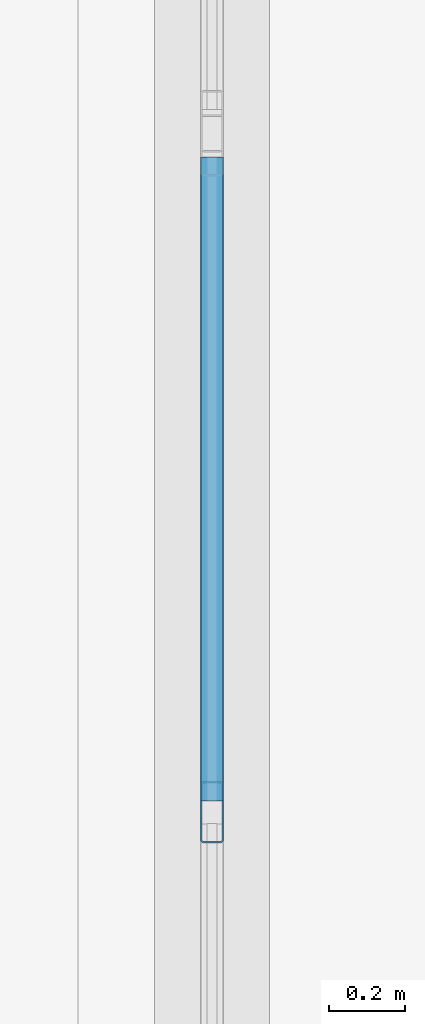
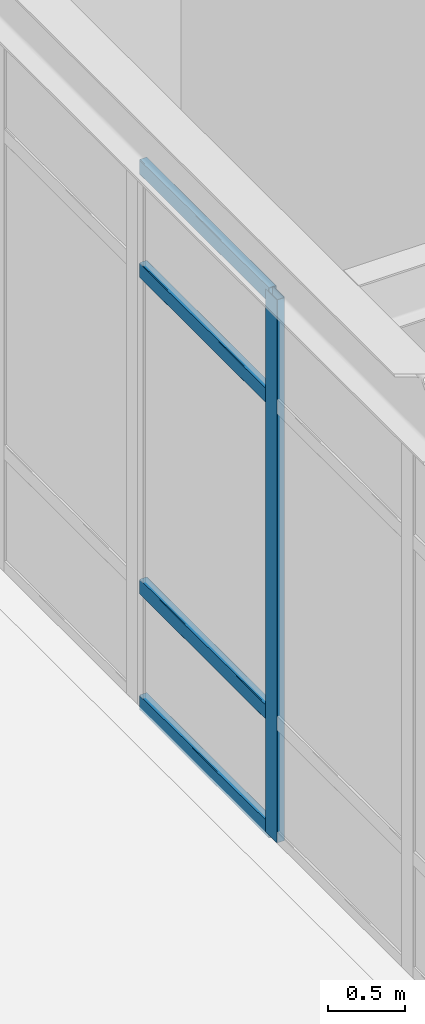
# One storey, part 25 of 124: 5 members, 1 element without a shape of its own.
"""IFC4 building model written with IfcOpenShell, lengths in metres."""

from ifc_helpers import new_model, si_unit, derived_unit, direction, frame, origin, origin_2d, place, context, subcontext, project, spatial, hollow_rectangle, extrude, material, layer, layer_set, material_profile, profile_set, type_object, element, aggregate, save


model = new_model("IFC4")

# Units and contexts
model_context = context("Model", 3, precision=1e-05, world=origin(), true_north=direction((0.0, 1.0)))
body_context = subcontext(model_context, "Body", "Model", "MODEL_VIEW")
ifc_project = project(units=[si_unit("LENGTHUNIT", "METRE"), si_unit("AREAUNIT", "SQUARE_METRE"), si_unit("VOLUMEUNIT", "CUBIC_METRE"), si_unit("PLANEANGLEUNIT", "RADIAN"), si_unit("MASSUNIT", "GRAM", prefix="KILO"), derived_unit("THERMALTRANSMITTANCEUNIT", [(si_unit("MASSUNIT", "GRAM", prefix="KILO"), 1), (si_unit("TIMEUNIT", "SECOND"), -3), (si_unit("THERMODYNAMICTEMPERATUREUNIT", "KELVIN"), -1)])], contexts=[model_context])

# Site, building, storey
site_placement = place(None, origin())
site = spatial("IfcSite", under=ifc_project, at=site_placement, CompositionType="ELEMENT")
building_placement = place(site_placement, origin())
building = spatial("IfcBuilding", under=site, at=building_placement, Name="Qinzheling Arcade Emporium", CompositionType="ELEMENT")
storey_placement = place(building_placement, frame((0.0, 0.0, 16.5)))
storey = spatial("IfcBuildingStorey", under=building, at=storey_placement, Name="L04", CompositionType="ELEMENT", Elevation=16.5)

# Curtain wall, members
ifc_material_1 = material(Name="Anodised aluminium and solar-control double glazing", Category="aluminium")
ifc_layer = layer(ifc_material_1, 0.159912109375, Name="Anodised aluminium and solar-control double glazing", Category="aluminium")
ifc_layer_set = layer_set([ifc_layer], Name="Anodised aluminium and solar-control double glazing")
curtain_wall_type = type_object("IfcCurtainWallType", Name="Atrium Clerestory Curtain Wall", PredefinedType="NOTDEFINED", material=ifc_layer_set)
curtain_wall_placement = place(storey_placement, origin())
curtain_wall = element("IfcCurtainWall", 1, at=curtain_wall_placement, inside=storey, type_object=curtain_wall_type, Name="Curtain Wall CW-L04-241", PredefinedType="NOTDEFINED")
ifc_material_2 = material(Name="Anodised aluminium 6063-T6", Category="aluminium")
ifc_material_profile_1 = material_profile(ifc_material_2, hollow_rectangle(XDim=0.06005859375, YDim=0.159912109375, WallThickness=0.00390625, InnerFilletRadius=0.00390625, OuterFilletRadius=0.008056640625, at=origin_2d()), Name="RHS 160x60x4", Category="aluminium")
ifc_profile_set_1 = profile_set([ifc_material_profile_1], Name="Anodised aluminium 6063-T6")
member_type_1 = type_object("IfcMemberType", Name="Curtain Wall Mullion RHS160x60", PredefinedType="MULLION", material=ifc_profile_set_1)
member_1_placement = place(storey_placement, frame((34.800048828125, 56.1240234375, 0.0), z_axis=(0.0, 0.0, 1.0), x_axis=(-1.0, 0.0, 0.0)))
member_1 = element("IfcMember", 2, at=member_1_placement, type_object=member_type_1, Name="CW03 mullion 4", PredefinedType="MULLION", context=body_context, shape_type="SweptSolid", body=[
    extrude(hollow_rectangle(XDim=0.06005859375, YDim=0.159912109375, WallThickness=0.00390625, InnerFilletRadius=0.00390625, OuterFilletRadius=0.008056640625, at=origin_2d()), origin(), (0.0, 0.0, 1.0), 4.31689453125),
])
ifc_material_profile_2 = material_profile(ifc_material_2, hollow_rectangle(XDim=0.06005859375, YDim=0.1201171875, WallThickness=0.00390625, InnerFilletRadius=0.00390625, OuterFilletRadius=0.008056640625, at=origin_2d()), Name="RHS 120x60x4", Category="aluminium")
ifc_profile_set_2 = profile_set([ifc_material_profile_2], Name="Anodised aluminium 6063-T6")
member_type_2 = type_object("IfcMemberType", Name="Curtain Wall Transom RHS120x60", PredefinedType="USERDEFINED", material=ifc_profile_set_2)
member_2_placement = place(storey_placement, frame((34.800048828125, 56.154052734375, 0.030029296875), z_axis=(0.0, 1.0, 0.0), x_axis=(-1.0, 0.0, 0.0)))
member_2 = element("IfcMember", 3, at=member_2_placement, type_object=member_type_2, Name="CW03 transom 4.1", ObjectType="TRANSOM", PredefinedType="USERDEFINED", context=body_context, shape_type="SweptSolid", body=[
    extrude(hollow_rectangle(XDim=0.06005859375, YDim=0.1201171875, WallThickness=0.00390625, InnerFilletRadius=0.00390625, OuterFilletRadius=0.008056640625, at=origin_2d()), origin(), (0.0, 0.0, 1.0), 1.683837890625),
])
member_3_placement = place(storey_placement, frame((34.800048828125, 56.154052734375, 0.949951171875), z_axis=(0.0, 1.0, 0.0), x_axis=(-1.0, 0.0, 0.0)))
member_3 = element("IfcMember", 4, at=member_3_placement, type_object=member_type_2, Name="CW03 transom 4.2", ObjectType="TRANSOM", PredefinedType="USERDEFINED", context=body_context, shape_type="SweptSolid", body=[
    extrude(hollow_rectangle(XDim=0.06005859375, YDim=0.1201171875, WallThickness=0.00390625, InnerFilletRadius=0.00390625, OuterFilletRadius=0.008056640625, at=origin_2d()), origin(), (0.0, 0.0, 1.0), 1.683837890625),
])
member_4_placement = place(storey_placement, frame((34.800048828125, 56.154052734375, 3.467041015625), z_axis=(0.0, 1.0, 0.0), x_axis=(-1.0, 0.0, 0.0)))
member_4 = element("IfcMember", 5, at=member_4_placement, type_object=member_type_2, Name="CW03 transom 4.3", ObjectType="TRANSOM", PredefinedType="USERDEFINED", context=body_context, shape_type="SweptSolid", body=[
    extrude(hollow_rectangle(XDim=0.06005859375, YDim=0.1201171875, WallThickness=0.00390625, InnerFilletRadius=0.00390625, OuterFilletRadius=0.008056640625, at=origin_2d()), origin(), (0.0, 0.0, 1.0), 1.683837890625),
])
member_5_placement = place(storey_placement, frame((34.800048828125, 56.154052734375, 4.287109375), z_axis=(0.0, 1.0, 0.0), x_axis=(-1.0, 0.0, 0.0)))
member_5 = element("IfcMember", 6, at=member_5_placement, type_object=member_type_2, Name="CW03 transom 4.4", ObjectType="TRANSOM", PredefinedType="USERDEFINED", context=body_context, shape_type="SweptSolid", body=[
    extrude(hollow_rectangle(XDim=0.06005859375, YDim=0.1201171875, WallThickness=0.00390625, InnerFilletRadius=0.00390625, OuterFilletRadius=0.008056640625, at=origin_2d()), origin(), (0.0, 0.0, 1.0), 1.683837890625),
])
aggregate(curtain_wall, [member_1, member_2, member_3, member_4, member_5])

save(model, "model.ifc")
